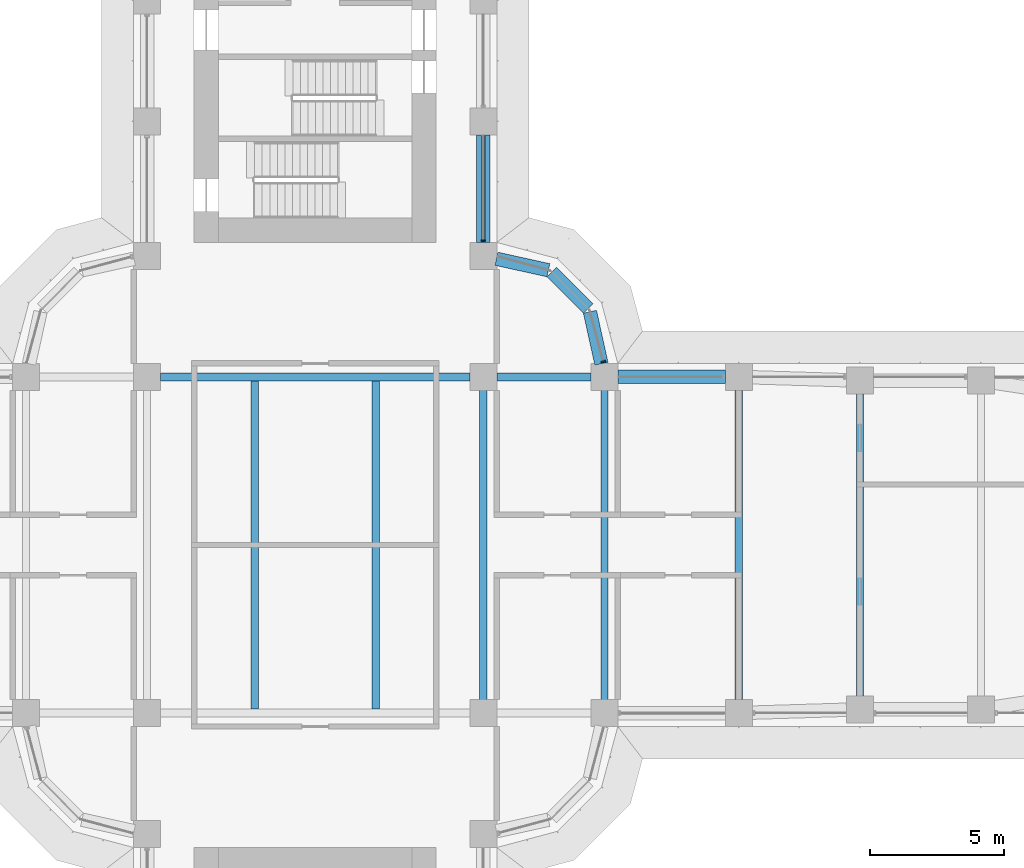
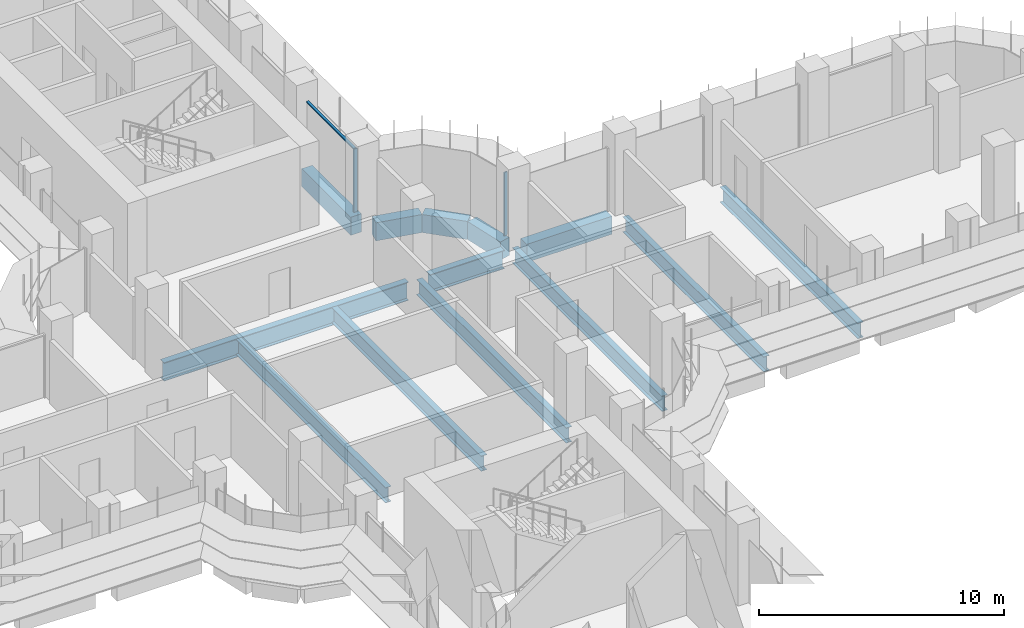
# One storey, part 8 of 23: 13 beams, 3 members, 2 elements without a shape of their own.
"""IFC4 building model written with IfcOpenShell, lengths in metres."""

import ifcopenshell
import ifcopenshell.guid

model = None  # the IFC model being written
_history = None  # IfcOwnerHistory: only IFC2X3 demands one
_inside = {}  # id of a spatial element -> (the spatial element, [elements in it])
_under = {}  # id of a project, library or spatial element -> (it, [spatial elements below it])
_declared = {}  # id of a project -> (the project, [libraries it declares])
_typed = {}  # id of a type object -> (the type object, [elements of that type])
_made_of = {}  # id of a material, layer set ... -> (it, [elements and type objects made of it])


def new_model(schema):
    """Start an empty IFC model of exactly this schema.

    Asked for "IFC4X3", IfcOpenShell would pick the latest addendum, in which some entities
    have other attributes; the version numbers below select the first issue.
    IFC2X3 requires an IfcOwnerHistory on every rooted entity: one is made here for all.
    """
    global model, _history
    if schema == "IFC4X3":
        model = ifcopenshell.file(schema_version=(4, 3, 0, 0))
    else:
        model = ifcopenshell.file(schema=schema)
    _inside.clear()
    _under.clear()
    _declared.clear()
    _typed.clear()
    _made_of.clear()
    _history = None
    if model.schema == "IFC2X3":
        org = make("IfcOrganization", Name="unknown")
        user = make(
            "IfcPersonAndOrganization",
            ThePerson=make("IfcPerson", FamilyName="unknown"),
            TheOrganization=org,
        )
        app = make(
            "IfcApplication",
            ApplicationDeveloper=org,
            Version="unknown",
            ApplicationFullName="unknown",
            ApplicationIdentifier="unknown",
        )
        _history = make(
            "IfcOwnerHistory",
            OwningUser=user,
            OwningApplication=app,
            ChangeAction="ADDED",
            CreationDate=0,
        )
    return model


def make(cls, **values):
    """One entity of the class cls with the attributes given. An attribute that is None is left unset."""
    return model.create_entity(
        cls, **{name: value for name, value in values.items() if value is not None}
    )


def rooted(cls, **values):
    """An entity with a GlobalId (a new one), such as an element, a storey or a relation."""
    return make(cls, GlobalId=ifcopenshell.guid.new(), OwnerHistory=_history, **values)


def si_unit(unit_type, name, prefix=None):
    """IfcSIUnit, for example si_unit("LENGTHUNIT", "METRE", prefix="MILLI")."""
    return make("IfcSIUnit", UnitType=unit_type, Prefix=prefix, Name=name)


def assignment(units):
    """IfcUnitAssignment: the units of a project."""
    return None if units is None else make("IfcUnitAssignment", Units=units)


def point(xyz):
    """IfcCartesianPoint."""
    return None if xyz is None else make("IfcCartesianPoint", Coordinates=xyz)


def direction(xyz):
    """IfcDirection."""
    return None if xyz is None else make("IfcDirection", DirectionRatios=xyz)


def frame(location, z_axis=None, x_axis=None):
    """IfcAxis2Placement3D, a coordinate frame: its origin and axes. An axis left out is left unset."""
    return make(
        "IfcAxis2Placement3D",
        Location=point(location),
        Axis=direction(z_axis),
        RefDirection=direction(x_axis),
    )


def frame_2d(location, x_axis=None):
    """IfcAxis2Placement2D, a coordinate frame in the plane: its origin and x axis."""
    return make(
        "IfcAxis2Placement2D", Location=point(location), RefDirection=direction(x_axis)
    )


def origin():
    """The frame at (0, 0, 0) with its axes left unset."""
    return frame((0.0, 0.0, 0.0))


def origin_2d():
    """The frame at (0, 0) in the plane with its x axis left unset."""
    return frame_2d((0.0, 0.0))


def place(relative_to, where):
    """IfcLocalPlacement: puts the frame where relative to a parent placement (None: the world)."""
    return make(
        "IfcLocalPlacement", PlacementRelTo=relative_to, RelativePlacement=where
    )


def context(
    kind, dimensions, precision=None, world=None, true_north=None, identifier=None
):
    """IfcGeometricRepresentationContext, for example the 3D "Model" context."""
    return make(
        "IfcGeometricRepresentationContext",
        ContextIdentifier=identifier,
        ContextType=kind,
        CoordinateSpaceDimension=dimensions,
        Precision=precision,
        WorldCoordinateSystem=world,
        TrueNorth=true_north,
    )


def subcontext(parent, identifier, kind, view, scale=None):
    """IfcGeometricRepresentationSubContext, for example "Body" below "Model"."""
    return make(
        "IfcGeometricRepresentationSubContext",
        ContextIdentifier=identifier,
        ContextType=kind,
        ParentContext=parent,
        TargetScale=scale,
        TargetView=view,
    )


def project(units=None, contexts=None):
    """IfcProject with its units and contexts."""
    return rooted(
        "IfcProject",
        Name="project",
        RepresentationContexts=contexts,
        UnitsInContext=assignment(units),
    )


def spatial(cls, under=None, at=None, **own):
    """A site, building, storey or space (cls), placed at a placement, below another one or the project."""
    s = rooted(cls, ObjectPlacement=at, **own)
    if under is not None:
        _under.setdefault(under.id(), (under, []))[1].append(s)
    return s


def polyline(points):
    """IfcPolyline through the points."""
    return make("IfcPolyline", Points=[point(p) for p in points])


def profile(cls, at=None, kind="AREA", **sizes):
    """A parametric profile (cls). Its sizes go by their IFC names, for example OverallWidth=200.0."""
    return make(cls, ProfileType=kind, Position=at, **sizes)


def rectangle(**sizes):
    """IfcRectangleProfileDef."""
    return profile("IfcRectangleProfileDef", **sizes)


def i_section(**sizes):
    """IfcIShapeProfileDef."""
    return profile("IfcIShapeProfileDef", **sizes)


def outline(outer, holes=None, kind="AREA"):
    """IfcArbitraryClosedProfileDef: a profile drawn as a closed curve; with holes, ...WithVoids."""
    if holes is None:
        return make("IfcArbitraryClosedProfileDef", ProfileType=kind, OuterCurve=outer)
    return make(
        "IfcArbitraryProfileDefWithVoids",
        ProfileType=kind,
        OuterCurve=outer,
        InnerCurves=holes,
    )


def extrude(swept, where, along, depth):
    """IfcExtrudedAreaSolid: the profile swept, set in the frame where, extruded along a direction by depth."""
    return make(
        "IfcExtrudedAreaSolid",
        SweptArea=swept,
        Position=where,
        ExtrudedDirection=direction(along),
        Depth=depth,
    )


def shape(context_of_items, identifier, shape_type, items):
    """IfcShapeRepresentation: the items that make up one representation, for example the "Body"."""
    return make(
        "IfcShapeRepresentation",
        ContextOfItems=context_of_items,
        RepresentationIdentifier=identifier,
        RepresentationType=shape_type,
        Items=items,
    )


def source(mapping_origin, context_of_items, identifier, shape_type, items):
    """IfcRepresentationMap: a shape defined once, which mapped items show again and again."""
    return make(
        "IfcRepresentationMap",
        MappingOrigin=mapping_origin,
        MappedRepresentation=shape(context_of_items, identifier, shape_type, items),
    )


def transform(
    local_origin,
    x_axis=None,
    y_axis=None,
    z_axis=None,
    scale=None,
    scale2=None,
    scale3=None,
    uniform=True,
):
    """IfcCartesianTransformationOperator3D, or its non-uniform kind. x_axis, y_axis, z_axis: its Axis1, 2, 3."""
    if uniform:
        return make(
            "IfcCartesianTransformationOperator3D",
            Axis1=direction(x_axis),
            Axis2=direction(y_axis),
            LocalOrigin=point(local_origin),
            Scale=scale,
            Axis3=direction(z_axis),
        )
    return make(
        "IfcCartesianTransformationOperator3DnonUniform",
        Axis1=direction(x_axis),
        Axis2=direction(y_axis),
        LocalOrigin=point(local_origin),
        Scale=scale,
        Axis3=direction(z_axis),
        Scale2=scale2,
        Scale3=scale3,
    )


def mapped(mapping_source, mapping_target):
    """IfcMappedItem: shows the shape of a source again, moved by a transform."""
    return make(
        "IfcMappedItem", MappingSource=mapping_source, MappingTarget=mapping_target
    )


def material(Name=None, Category=None):
    """IfcMaterial."""
    return make("IfcMaterial", Name=Name, Category=Category)


def material_profile(
    of_material, cross_section, Name=None, Category=None, Priority=None
):
    """IfcMaterialProfile: a cross section and its material."""
    return make(
        "IfcMaterialProfile",
        Name=Name,
        Material=of_material,
        Profile=cross_section,
        Priority=Priority,
        Category=Category,
    )


def profile_set(profiles, Name=None, composite=None):
    """IfcMaterialProfileSet."""
    return make(
        "IfcMaterialProfileSet",
        Name=Name,
        MaterialProfiles=profiles,
        CompositeProfile=composite,
    )


def made_of(thing, what):
    """Note that an element or type object is made of a material, layer set ...; save() writes the relation."""
    if what is not None:
        _made_of.setdefault(what.id(), (what, []))[1].append(thing)
    return thing


def type_object(cls, material=None, **own):
    """A type object (cls), such as IfcWallType, which elements share."""
    return made_of(rooted(cls, **own), material)


def element(
    cls,
    number,
    at=None,
    inside=None,
    cuts=None,
    type_object=None,
    material=None,
    context=None,
    identifier="Body",
    shape_type=None,
    held_by="IfcProductDefinitionShape",
    body=None,
    shapes=None,
    **own,
):
    """One element of the class cls, such as IfcWall. Its Tag is "e" and its number.

    at: its placement. inside: the storey or other place that contains it. cuts: it is an
    opening in that element (IfcRelVoidsElement). A single representation is given by context,
    identifier, shape_type and body (its items); several are given by shapes. held_by: the class
    of the entity that holds the representations. save() writes the other relations.
    """
    e = rooted(cls, Tag="e%d" % number, ObjectPlacement=at, **own)
    if body is not None:
        shapes = [shape(context, identifier, shape_type, body)]
    if shapes is not None:
        e.Representation = make(held_by, Representations=shapes)
    if inside is not None:
        _inside.setdefault(inside.id(), (inside, []))[1].append(e)
    if cuts is not None:
        rooted(
            "IfcRelVoidsElement", RelatingBuildingElement=cuts, RelatedOpeningElement=e
        )
    if type_object is not None:
        _typed.setdefault(type_object.id(), (type_object, []))[1].append(e)
    return made_of(e, material)


def aggregate(whole, parts):
    """IfcRelAggregates: a whole, such as a stair, and the parts it consists of."""
    return rooted("IfcRelAggregates", RelatingObject=whole, RelatedObjects=parts)


def save(model, path):
    """Write the relations noted so far, then the file.

    IfcRelAggregates (storeys below a building ...), IfcRelContainedInSpatialStructure (elements
    in a storey), IfcRelDefinesByType, IfcRelAssociatesMaterial and IfcRelDeclares: one each for
    every whole, place, type object, material and project.
    """
    for whole, parts in _under.values():
        aggregate(whole, parts)
    for where, things in _inside.values():
        rooted(
            "IfcRelContainedInSpatialStructure",
            RelatedElements=things,
            RelatingStructure=where,
        )
    for kind, things in _typed.values():
        rooted("IfcRelDefinesByType", RelatedObjects=things, RelatingType=kind)
    for what, things in _made_of.values():
        rooted("IfcRelAssociatesMaterial", RelatedObjects=things, RelatingMaterial=what)
    for by, libraries in _declared.values():
        rooted("IfcRelDeclares", RelatingContext=by, RelatedDefinitions=libraries)
    model.write(path)


model = new_model("IFC4")

# Units and contexts
model_context = context("Model", 3, precision=1e-05, world=origin(), true_north=direction((0.0, 1.0)))
body_context = subcontext(model_context, "Body", "Model", "MODEL_VIEW")
ifc_project = project(units=[si_unit("LENGTHUNIT", "METRE"), si_unit("AREAUNIT", "SQUARE_METRE"), si_unit("VOLUMEUNIT", "CUBIC_METRE"), si_unit("PLANEANGLEUNIT", "RADIAN"), si_unit("MASSUNIT", "GRAM", prefix="KILO")], contexts=[model_context])

# Site, building, storey
site_placement = place(None, origin())
site = spatial("IfcSite", under=ifc_project, at=site_placement, CompositionType="ELEMENT")
building_placement = place(site_placement, origin())
building = spatial("IfcBuilding", under=site, at=building_placement, Name="Zarbagh Exchange Tower", CompositionType="ELEMENT")
storey_placement = place(building_placement, frame((0.0, 0.0, 43.800048828125)))
storey = spatial("IfcBuildingStorey", under=building, at=storey_placement, Name="L09", CompositionType="ELEMENT", Elevation=43.800048828125)

# Beams
ifc_material_1 = material(Name="Steel ASTM A992 Gr 50", Category="steel")
ifc_material_profile_1 = material_profile(ifc_material_1, i_section(OverallWidth=0.2666015625, OverallDepth=0.76708984375, WebThickness=0.014892578125, FlangeThickness=0.023681640625, at=origin_2d()), Name="W30X124")
ifc_profile_set_1 = profile_set([ifc_material_profile_1], Name="Steel ASTM A992 Gr 50")
beam_type_1 = type_object("IfcBeamType", Name="Floor beam W30X124", PredefinedType="BEAM", material=ifc_profile_set_1)
for number, where, z_axis, x_axis, name in (
    (1, (-2.25, -6.09765625, -0.533447265625), (0.0, 1.0, 0.0), (-1.0, 0.0, 0.0), "Steel floor beam"),
    (2, (2.25, -6.09765625, -0.533447265625), (0.0, 1.0, 0.0), (-1.0, 0.0, 0.0), "Steel floor beam"),
    (3, (6.25, -6.09765625, -0.533447265625), (0.0, 1.0, 0.0), (-1.0, 0.0, 0.0), "Steel floor beam"),
    (4, (10.75, -6.09765625, -0.533447265625), (0.0, 1.0, 0.0), (-1.0, 0.0, 0.0), "Steel floor beam"),
):
    element("IfcBeam", number, at=place(storey_placement, frame(where, z_axis=z_axis, x_axis=x_axis)), inside=storey, type_object=beam_type_1, Name=name, PredefinedType="BEAM", context=body_context, shape_type="SweptSolid", body=[
        extrude(i_section(OverallWidth=0.2666015625, OverallDepth=0.76708984375, WebThickness=0.014892578125, FlangeThickness=0.023681640625, at=origin_2d()), origin(), (0.0, 0.0, 1.0), 12.1953125),
    ])
beam_1_placement = place(storey_placement, frame((15.75, -5.75, -0.533447265625), z_axis=(0.0, 1.0, 0.0), x_axis=(-1.0, 0.0, 0.0)))
element("IfcBeam", 5, at=beam_1_placement, inside=storey, type_object=beam_type_1, Name="Steel floor beam", PredefinedType="BEAM", context=body_context, shape_type="SweptSolid", body=[
    extrude(i_section(OverallWidth=0.2666015625, OverallDepth=0.76708984375, WebThickness=0.014892578125, FlangeThickness=0.023681640625, at=origin_2d()), origin(), (0.0, 0.0, 1.0), 11.5),
])
beam_2_placement = place(storey_placement, frame((20.25, -5.610107421875, -0.533447265625), z_axis=(0.0, 1.0, 0.0), x_axis=(-1.0, 0.0, 0.0)))
element("IfcBeam", 6, at=beam_2_placement, inside=storey, type_object=beam_type_1, Name="Steel floor beam", PredefinedType="BEAM", context=body_context, shape_type="SweptSolid", body=[
    extrude(i_section(OverallWidth=0.2666015625, OverallDepth=0.76708984375, WebThickness=0.014892578125, FlangeThickness=0.023681640625, at=origin_2d()), origin(), (0.0, 0.0, 1.0), 11.22021484375),
])
ifc_material_profile_2 = material_profile(ifc_material_1, i_section(OverallWidth=0.3046875, OverallDepth=0.91943359375, WebThickness=0.017333984375, FlangeThickness=0.02783203125, at=origin_2d()), Name="W36X170")
ifc_profile_set_2 = profile_set([ifc_material_profile_2], Name="Steel ASTM A992 Gr 50")
beam_type_2 = type_object("IfcBeamType", Name="Floor girder W36X170", PredefinedType="BEAM", material=ifc_profile_set_2)
beam_3_placement = place(storey_placement, frame((-5.75, 6.25, -0.60986328125), z_axis=(1.0, 0.0, 0.0), x_axis=(0.0, 1.0, 0.0)))
element("IfcBeam", 7, at=beam_3_placement, inside=storey, type_object=beam_type_2, Name="Steel girder", PredefinedType="BEAM", context=body_context, shape_type="SweptSolid", body=[
    extrude(i_section(OverallWidth=0.3046875, OverallDepth=0.91943359375, WebThickness=0.017333984375, FlangeThickness=0.02783203125, at=origin_2d()), origin(), (0.0, 0.0, 1.0), 11.5),
])
beam_4_placement = place(storey_placement, frame((6.75, 6.25, -0.60986328125), z_axis=(1.0, 0.0, 0.0), x_axis=(0.0, 1.0, 0.0)))
element("IfcBeam", 8, at=beam_4_placement, inside=storey, type_object=beam_type_2, Name="Steel girder", PredefinedType="BEAM", context=body_context, shape_type="SweptSolid", body=[
    extrude(i_section(OverallWidth=0.3046875, OverallDepth=0.91943359375, WebThickness=0.017333984375, FlangeThickness=0.02783203125, at=origin_2d()), origin(), (0.0, 0.0, 1.0), 3.5),
])
ifc_material_2 = material(Name="Concrete C60/75", Category="concrete")
ifc_material_profile_3 = material_profile(ifc_material_2, rectangle(XDim=0.5, YDim=0.89990234375, at=origin_2d()), Name="RC spandrel beam 500 x 900 C60/75")
ifc_profile_set_3 = profile_set([ifc_material_profile_3], Name="Concrete C60/75")
beam_type_3 = type_object("IfcBeamType", Name="RC spandrel beam 500 x 900 C60/75", PredefinedType="SPANDREL", material=ifc_profile_set_3)
beam_5_placement = place(storey_placement, frame((6.25, 15.25, -0.60009765625), z_axis=(0.0, -1.0, 0.0), x_axis=(1.0, 0.0, 0.0)))
element("IfcBeam", 9, at=beam_5_placement, inside=storey, type_object=beam_type_3, Name="RC spandrel beam", PredefinedType="SPANDREL", context=body_context, shape_type="SweptSolid", body=[
    extrude(rectangle(XDim=0.5, YDim=0.89990234375, at=origin_2d()), origin(), (0.0, 0.0, 1.0), 4.0),
])
beam_6_placement = place(storey_placement, frame((6.73828125, 10.64208984375, -0.60009765625), z_axis=(0.976375426825, -0.216081063242, 0.0), x_axis=(0.216081063242, 0.976375426825, 0.0)))
element("IfcBeam", 10, at=beam_6_placement, inside=storey, type_object=beam_type_3, Name="RC spandrel beam", PredefinedType="SPANDREL", context=body_context, shape_type="SweptSolid", body=[
    extrude(rectangle(XDim=0.5, YDim=0.89990234375, at=origin_2d()), origin(), (0.0, 0.0, 1.0), 1.978271484375),
])
beam_7_placement = place(storey_placement, frame((8.792724609375, 10.147216796875, -0.60009765625), z_axis=(0.707106781187, -0.707106781187, 0.0), x_axis=(0.707106781187, 0.707106781187, 0.0)))
element("IfcBeam", 11, at=beam_7_placement, inside=storey, type_object=beam_type_3, Name="RC spandrel beam", PredefinedType="SPANDREL", context=body_context, shape_type="SweptSolid", body=[
    extrude(rectangle(XDim=0.5, YDim=0.89990234375, at=origin_2d()), origin(), (0.0, 0.0, 1.0), 1.91552734375),
])
beam_8_placement = place(storey_placement, frame((10.214599609375, 8.669921875, -0.60009765625), z_axis=(0.216081063242, -0.976375426825, 0.0), x_axis=(0.976375426825, 0.216081063242, 0.0)))
element("IfcBeam", 12, at=beam_8_placement, inside=storey, type_object=beam_type_3, Name="RC spandrel beam", PredefinedType="SPANDREL", context=body_context, shape_type="SweptSolid", body=[
    extrude(rectangle(XDim=0.5, YDim=0.89990234375, at=origin_2d()), origin(), (0.0, 0.0, 1.0), 1.978271484375),
])
beam_9_placement = place(storey_placement, frame((11.25, 6.25, -0.60009765625), z_axis=(1.0, 0.0, 0.0), x_axis=(0.0, 1.0, 0.0)))
element("IfcBeam", 13, at=beam_9_placement, inside=storey, type_object=beam_type_3, Name="RC spandrel beam", PredefinedType="SPANDREL", context=body_context, shape_type="SweptSolid", body=[
    extrude(rectangle(XDim=0.5, YDim=0.89990234375, at=origin_2d()), origin(), (0.0, 0.0, 1.0), 4.0),
])

# Curtain wall, member
ifc_material_3 = material(Name="Anodised aluminium frame and glazing", Category="aluminium")
curtain_wall_type = type_object("IfcCurtainWallType", Name="CWA Ribbon glazing, lower zones", PredefinedType="NOTDEFINED", material=ifc_material_3)
curtain_wall_1_placement = place(storey_placement, origin())
curtain_wall_1 = element("IfcCurtainWall", 14, at=curtain_wall_1_placement, inside=storey, type_object=curtain_wall_type, Name="CWA17 curtain wall", PredefinedType="NOTDEFINED")
ifc_material_4 = material(Name="Anodised aluminium frame", Category="aluminium")
member_type_1 = type_object("IfcMemberType", Name="MUA Mullion, anodised aluminium frame", PredefinedType="MULLION", material=ifc_material_4)
shared_shape_1 = source(origin(), body_context, "Body", "SweptSolid", [
    extrude(outline(polyline([(0.0, -0.080078125), (0.06005859375, -0.080078125), (0.06005859375, 0.080078125), (0.0, 0.080078125), (0.0, -0.080078125)])), origin(), (0.0, 0.0, 1.0), 3.14990234375),
])
placement = place(storey_placement, origin())
member_1 = element("IfcMember", 15, at=placement, type_object=member_type_1, Name="CWA17 mullion 1.1", PredefinedType="MULLION", context=body_context, shape_type="MappedRepresentation", body=[
    mapped(shared_shape_1, transform((10.7216796875, 6.7900390625, 0.0), x_axis=(-0.258824779902, 0.965924289636, 0.0), y_axis=(-0.965924289636, -0.258824779902, 0.0), z_axis=(0.0, 0.0, 1.0))),
])
aggregate(curtain_wall_1, [member_1])

# Curtain wall, members
curtain_wall_2_placement = place(storey_placement, origin())
curtain_wall_2 = element("IfcCurtainWall", 16, at=curtain_wall_2_placement, inside=storey, type_object=curtain_wall_type, Name="CWA20 curtain wall", PredefinedType="NOTDEFINED")
member_2 = element("IfcMember", 17, at=placement, type_object=member_type_1, Name="CWA20 mullion 1.1", PredefinedType="MULLION", context=body_context, shape_type="MappedRepresentation", body=[
    mapped(shared_shape_1, transform((6.25, 11.2900390625, 0.0), x_axis=(0.0, 1.0, 0.0), y_axis=(-1.0, 0.0, 0.0), z_axis=(0.0, 0.0, 1.0))),
])
member_type_2 = type_object("IfcMemberType", Name="TRA Transom, anodised aluminium frame", PredefinedType="USERDEFINED", material=ifc_material_4)
shared_shape_2 = source(origin(), body_context, "Body", "SweptSolid", [
    extrude(outline(polyline([(-0.06005859375, -0.06005859375), (0.0, -0.06005859375), (0.0, 0.06005859375), (-0.06005859375, 0.06005859375), (-0.06005859375, -0.06005859375)])), origin(), (0.0, 0.0, 1.0), 3.860107421875),
])
member_3 = element("IfcMember", 18, at=placement, type_object=member_type_2, Name="CWA20 transom 1.1", ObjectType="TRANSOM", PredefinedType="USERDEFINED", context=body_context, shape_type="MappedRepresentation", body=[
    mapped(shared_shape_2, transform((6.25, 11.35009765625, 3.14990234375), x_axis=(0.0, 0.0, 1.0), y_axis=(1.0, 0.0, 0.0), z_axis=(0.0, 1.0, 0.0))),
])
aggregate(curtain_wall_2, [member_2, member_3])

save(model, "model.ifc")
